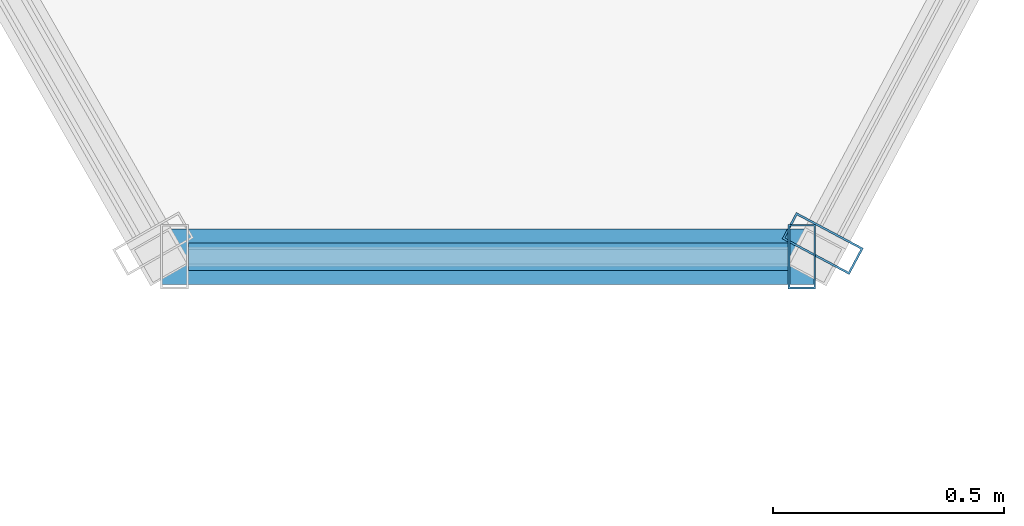
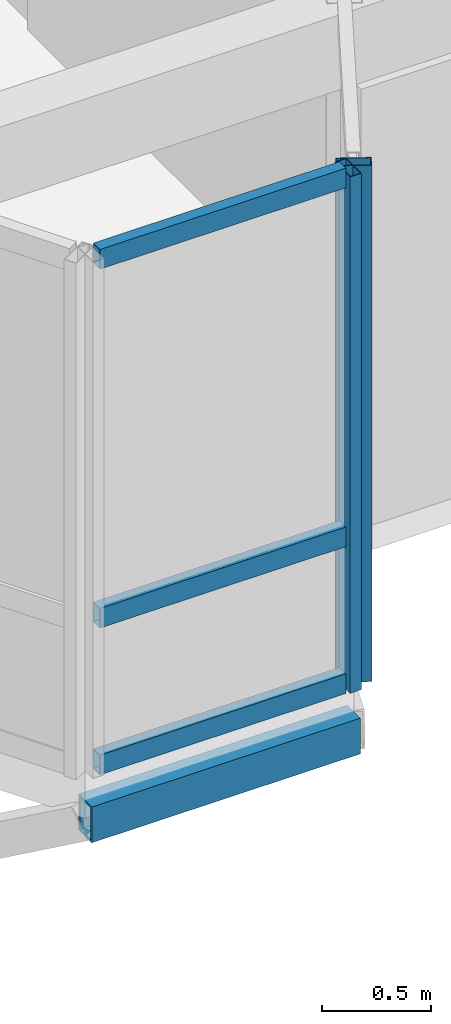
# One storey, part 38 of 77: 6 members, 2 elements without a shape of their own.
"""IFC4 building model written with IfcOpenShell, lengths in metres."""

import ifcopenshell
import ifcopenshell.guid

model = None  # the IFC model being written
_history = None  # IfcOwnerHistory: only IFC2X3 demands one
_inside = {}  # id of a spatial element -> (the spatial element, [elements in it])
_under = {}  # id of a project, library or spatial element -> (it, [spatial elements below it])
_declared = {}  # id of a project -> (the project, [libraries it declares])
_typed = {}  # id of a type object -> (the type object, [elements of that type])
_made_of = {}  # id of a material, layer set ... -> (it, [elements and type objects made of it])


def new_model(schema):
    """Start an empty IFC model of exactly this schema.

    Asked for "IFC4X3", IfcOpenShell would pick the latest addendum, in which some entities
    have other attributes; the version numbers below select the first issue.
    IFC2X3 requires an IfcOwnerHistory on every rooted entity: one is made here for all.
    """
    global model, _history
    if schema == "IFC4X3":
        model = ifcopenshell.file(schema_version=(4, 3, 0, 0))
    else:
        model = ifcopenshell.file(schema=schema)
    _inside.clear()
    _under.clear()
    _declared.clear()
    _typed.clear()
    _made_of.clear()
    _history = None
    if model.schema == "IFC2X3":
        org = make("IfcOrganization", Name="unknown")
        user = make(
            "IfcPersonAndOrganization",
            ThePerson=make("IfcPerson", FamilyName="unknown"),
            TheOrganization=org,
        )
        app = make(
            "IfcApplication",
            ApplicationDeveloper=org,
            Version="unknown",
            ApplicationFullName="unknown",
            ApplicationIdentifier="unknown",
        )
        _history = make(
            "IfcOwnerHistory",
            OwningUser=user,
            OwningApplication=app,
            ChangeAction="ADDED",
            CreationDate=0,
        )
    return model


def make(cls, **values):
    """One entity of the class cls with the attributes given. An attribute that is None is left unset."""
    return model.create_entity(
        cls, **{name: value for name, value in values.items() if value is not None}
    )


def rooted(cls, **values):
    """An entity with a GlobalId (a new one), such as an element, a storey or a relation."""
    return make(cls, GlobalId=ifcopenshell.guid.new(), OwnerHistory=_history, **values)


def si_unit(unit_type, name, prefix=None):
    """IfcSIUnit, for example si_unit("LENGTHUNIT", "METRE", prefix="MILLI")."""
    return make("IfcSIUnit", UnitType=unit_type, Prefix=prefix, Name=name)


def assignment(units):
    """IfcUnitAssignment: the units of a project."""
    return None if units is None else make("IfcUnitAssignment", Units=units)


def point(xyz):
    """IfcCartesianPoint."""
    return None if xyz is None else make("IfcCartesianPoint", Coordinates=xyz)


def direction(xyz):
    """IfcDirection."""
    return None if xyz is None else make("IfcDirection", DirectionRatios=xyz)


def frame(location, z_axis=None, x_axis=None):
    """IfcAxis2Placement3D, a coordinate frame: its origin and axes. An axis left out is left unset."""
    return make(
        "IfcAxis2Placement3D",
        Location=point(location),
        Axis=direction(z_axis),
        RefDirection=direction(x_axis),
    )


def frame_2d(location, x_axis=None):
    """IfcAxis2Placement2D, a coordinate frame in the plane: its origin and x axis."""
    return make(
        "IfcAxis2Placement2D", Location=point(location), RefDirection=direction(x_axis)
    )


def origin():
    """The frame at (0, 0, 0) with its axes left unset."""
    return frame((0.0, 0.0, 0.0))


def origin_2d():
    """The frame at (0, 0) in the plane with its x axis left unset."""
    return frame_2d((0.0, 0.0))


def place(relative_to, where):
    """IfcLocalPlacement: puts the frame where relative to a parent placement (None: the world)."""
    return make(
        "IfcLocalPlacement", PlacementRelTo=relative_to, RelativePlacement=where
    )


def context(
    kind, dimensions, precision=None, world=None, true_north=None, identifier=None
):
    """IfcGeometricRepresentationContext, for example the 3D "Model" context."""
    return make(
        "IfcGeometricRepresentationContext",
        ContextIdentifier=identifier,
        ContextType=kind,
        CoordinateSpaceDimension=dimensions,
        Precision=precision,
        WorldCoordinateSystem=world,
        TrueNorth=true_north,
    )


def subcontext(parent, identifier, kind, view, scale=None):
    """IfcGeometricRepresentationSubContext, for example "Body" below "Model"."""
    return make(
        "IfcGeometricRepresentationSubContext",
        ContextIdentifier=identifier,
        ContextType=kind,
        ParentContext=parent,
        TargetScale=scale,
        TargetView=view,
    )


def project(units=None, contexts=None):
    """IfcProject with its units and contexts."""
    return rooted(
        "IfcProject",
        Name="project",
        RepresentationContexts=contexts,
        UnitsInContext=assignment(units),
    )


def spatial(cls, under=None, at=None, **own):
    """A site, building, storey or space (cls), placed at a placement, below another one or the project."""
    s = rooted(cls, ObjectPlacement=at, **own)
    if under is not None:
        _under.setdefault(under.id(), (under, []))[1].append(s)
    return s


def profile(cls, at=None, kind="AREA", **sizes):
    """A parametric profile (cls). Its sizes go by their IFC names, for example OverallWidth=200.0."""
    return make(cls, ProfileType=kind, Position=at, **sizes)


def hollow_rectangle(**sizes):
    """IfcRectangleHollowProfileDef."""
    return profile("IfcRectangleHollowProfileDef", **sizes)


def extrude(swept, where, along, depth):
    """IfcExtrudedAreaSolid: the profile swept, set in the frame where, extruded along a direction by depth."""
    return make(
        "IfcExtrudedAreaSolid",
        SweptArea=swept,
        Position=where,
        ExtrudedDirection=direction(along),
        Depth=depth,
    )


def shape(context_of_items, identifier, shape_type, items):
    """IfcShapeRepresentation: the items that make up one representation, for example the "Body"."""
    return make(
        "IfcShapeRepresentation",
        ContextOfItems=context_of_items,
        RepresentationIdentifier=identifier,
        RepresentationType=shape_type,
        Items=items,
    )


def material(Name=None, Category=None):
    """IfcMaterial."""
    return make("IfcMaterial", Name=Name, Category=Category)


def layer(
    of_material, thickness, ventilated=None, Name=None, Category=None, Priority=None
):
    """IfcMaterialLayer: one layer of a wall or slab, of a material (None: an air gap)."""
    return make(
        "IfcMaterialLayer",
        Material=of_material,
        LayerThickness=thickness,
        IsVentilated=ventilated,
        Name=Name,
        Category=Category,
        Priority=Priority,
    )


def layer_set(layers, Name=None):
    """IfcMaterialLayerSet."""
    return make("IfcMaterialLayerSet", MaterialLayers=layers, LayerSetName=Name)


def material_profile(
    of_material, cross_section, Name=None, Category=None, Priority=None
):
    """IfcMaterialProfile: a cross section and its material."""
    return make(
        "IfcMaterialProfile",
        Name=Name,
        Material=of_material,
        Profile=cross_section,
        Priority=Priority,
        Category=Category,
    )


def profile_set(profiles, Name=None, composite=None):
    """IfcMaterialProfileSet."""
    return make(
        "IfcMaterialProfileSet",
        Name=Name,
        MaterialProfiles=profiles,
        CompositeProfile=composite,
    )


def made_of(thing, what):
    """Note that an element or type object is made of a material, layer set ...; save() writes the relation."""
    if what is not None:
        _made_of.setdefault(what.id(), (what, []))[1].append(thing)
    return thing


def type_object(cls, material=None, **own):
    """A type object (cls), such as IfcWallType, which elements share."""
    return made_of(rooted(cls, **own), material)


def element(
    cls,
    number,
    at=None,
    inside=None,
    cuts=None,
    type_object=None,
    material=None,
    context=None,
    identifier="Body",
    shape_type=None,
    held_by="IfcProductDefinitionShape",
    body=None,
    shapes=None,
    **own,
):
    """One element of the class cls, such as IfcWall. Its Tag is "e" and its number.

    at: its placement. inside: the storey or other place that contains it. cuts: it is an
    opening in that element (IfcRelVoidsElement). A single representation is given by context,
    identifier, shape_type and body (its items); several are given by shapes. held_by: the class
    of the entity that holds the representations. save() writes the other relations.
    """
    e = rooted(cls, Tag="e%d" % number, ObjectPlacement=at, **own)
    if body is not None:
        shapes = [shape(context, identifier, shape_type, body)]
    if shapes is not None:
        e.Representation = make(held_by, Representations=shapes)
    if inside is not None:
        _inside.setdefault(inside.id(), (inside, []))[1].append(e)
    if cuts is not None:
        rooted(
            "IfcRelVoidsElement", RelatingBuildingElement=cuts, RelatedOpeningElement=e
        )
    if type_object is not None:
        _typed.setdefault(type_object.id(), (type_object, []))[1].append(e)
    return made_of(e, material)


def aggregate(whole, parts):
    """IfcRelAggregates: a whole, such as a stair, and the parts it consists of."""
    return rooted("IfcRelAggregates", RelatingObject=whole, RelatedObjects=parts)


def save(model, path):
    """Write the relations noted so far, then the file.

    IfcRelAggregates (storeys below a building ...), IfcRelContainedInSpatialStructure (elements
    in a storey), IfcRelDefinesByType, IfcRelAssociatesMaterial and IfcRelDeclares: one each for
    every whole, place, type object, material and project.
    """
    for whole, parts in _under.values():
        aggregate(whole, parts)
    for where, things in _inside.values():
        rooted(
            "IfcRelContainedInSpatialStructure",
            RelatedElements=things,
            RelatingStructure=where,
        )
    for kind, things in _typed.values():
        rooted("IfcRelDefinesByType", RelatedObjects=things, RelatingType=kind)
    for what, things in _made_of.values():
        rooted("IfcRelAssociatesMaterial", RelatedObjects=things, RelatingMaterial=what)
    for by, libraries in _declared.values():
        rooted("IfcRelDeclares", RelatingContext=by, RelatedDefinitions=libraries)
    model.write(path)


model = new_model("IFC4")

# Units and contexts
model_context = context("Model", 3, precision=1e-05, world=origin(), true_north=direction((0.0, 1.0)))
body_context = subcontext(model_context, "Body", "Model", "MODEL_VIEW")
ifc_project = project(units=[si_unit("LENGTHUNIT", "METRE"), si_unit("AREAUNIT", "SQUARE_METRE"), si_unit("VOLUMEUNIT", "CUBIC_METRE"), si_unit("PLANEANGLEUNIT", "RADIAN"), si_unit("MASSUNIT", "GRAM", prefix="KILO"), si_unit("THERMODYNAMICTEMPERATUREUNIT", "KELVIN"), si_unit("POWERUNIT", "WATT")], contexts=[model_context])

# Site, building, storey
site_placement = place(None, origin())
site = spatial("IfcSite", under=ifc_project, at=site_placement, CompositionType="ELEMENT")
building_placement = place(site_placement, origin())
building = spatial("IfcBuilding", under=site, at=building_placement, Name="Tavuni Mirador Residences", CompositionType="ELEMENT")
storey_placement = place(building_placement, frame((0.0, 0.0, 10.800048828125)))
storey = spatial("IfcBuildingStorey", under=building, at=storey_placement, Name="L03", CompositionType="ELEMENT", Elevation=10.800048828125)

# Curtain wall, member
ifc_material_1 = material(Name="Anodised aluminium", Category="aluminium")
ifc_layer_1 = layer(ifc_material_1, 0.175048828125, Name="Anodised aluminium", Category="aluminium")
ifc_layer_set_1 = layer_set([ifc_layer_1], Name="Anodised aluminium")
curtain_wall_type_1 = type_object("IfcCurtainWallType", Name="CWT-MIR-C", PredefinedType="NOTDEFINED", material=ifc_layer_set_1)
curtain_wall_1_placement = place(storey_placement, origin())
curtain_wall_1 = element("IfcCurtainWall", 1, at=curtain_wall_1_placement, inside=storey, type_object=curtain_wall_type_1, Name="CW-MIR-C-S3-L03-MF", PredefinedType="NOTDEFINED")
ifc_material_profile_1 = material_profile(ifc_material_1, hollow_rectangle(XDim=0.06005859375, YDim=0.139892578125, WallThickness=0.00390625, at=origin_2d()), Name="ALU 60x140x4.0", Category="aluminium")
ifc_profile_set_1 = profile_set([ifc_material_profile_1], Name="Anodised aluminium")
member_type_1 = type_object("IfcMemberType", Name="CWM-140", PredefinedType="MULLION", material=ifc_profile_set_1)
member_1_placement = place(storey_placement, frame((49.14990234375, 142.800048828125, 0.0), z_axis=(0.0, 0.0, 1.0), x_axis=(1.0, 0.0, 0.0)))
member_1 = element("IfcMember", 2, at=member_1_placement, type_object=member_type_1, Name="CW-03 mullion 2", PredefinedType="MULLION", context=body_context, shape_type="SweptSolid", body=[
    extrude(hollow_rectangle(XDim=0.06005859375, YDim=0.139892578125, WallThickness=0.00390625, at=origin_2d()), origin(), (0.0, 0.0, 1.0), 2.885009765625),
])

ifc_layer_2 = layer(ifc_material_1, 0.159912109375, Name="Anodised aluminium", Category="aluminium")
ifc_layer_set_2 = layer_set([ifc_layer_2], Name="Anodised aluminium")
curtain_wall_type_2 = type_object("IfcCurtainWallType", Name="CWT-MIR-D", PredefinedType="NOTDEFINED", material=ifc_layer_set_2)
curtain_wall_2_placement = place(storey_placement, origin())
curtain_wall_2 = element("IfcCurtainWall", 3, at=curtain_wall_2_placement, inside=storey, type_object=curtain_wall_type_2, Name="CW-MIR-C-S3-L03-M2", PredefinedType="NOTDEFINED")
ifc_material_profile_2 = material_profile(ifc_material_1, hollow_rectangle(XDim=0.06494140625, YDim=0.1650390625, WallThickness=0.00439453125, at=origin_2d()), Name="ALU 65x165x4.5", Category="aluminium")
ifc_profile_set_2 = profile_set([ifc_material_profile_2], Name="Anodised aluminium")
member_type_2 = type_object("IfcMemberType", Name="CWM-165", PredefinedType="MULLION", material=ifc_profile_set_2)
member_2_placement = place(storey_placement, frame((49.1953125, 142.82861328125, 0.0), z_axis=(0.0, 0.0, 1.0), x_axis=(0.470588235296, 0.882352941175, 0.0)))
member_2 = element("IfcMember", 4, at=member_2_placement, type_object=member_type_2, Name="CW-04 mullion 1", PredefinedType="MULLION", context=body_context, shape_type="SweptSolid", body=[
    extrude(hollow_rectangle(XDim=0.06494140625, YDim=0.1650390625, WallThickness=0.00439453125, at=origin_2d()), origin(), (0.0, 0.0, 1.0), 2.885009765625),
])
aggregate(curtain_wall_2, [member_2])

# Member
ifc_material_profile_3 = material_profile(ifc_material_1, hollow_rectangle(XDim=0.06005859375, YDim=0.110107421875, WallThickness=0.00390625, at=origin_2d()), Name="ALU 60x110x4.0", Category="aluminium")
ifc_profile_set_3 = profile_set([ifc_material_profile_3], Name="Anodised aluminium")
member_type_3 = type_object("IfcMemberType", Name="CWT-110", PredefinedType="USERDEFINED", material=ifc_profile_set_3)
member_3_placement = place(storey_placement, frame((47.820068359375, 142.800048828125, 0.030029296875), z_axis=(1.0, 0.0, 0.0), x_axis=(0.0, 1.0, 0.0)))
member_3 = element("IfcMember", 5, at=member_3_placement, type_object=member_type_3, Name="CW-03 transom 1.1", ObjectType="TRANSOM", PredefinedType="USERDEFINED", context=body_context, shape_type="SweptSolid", body=[
    extrude(hollow_rectangle(XDim=0.06005859375, YDim=0.110107421875, WallThickness=0.00390625, at=origin_2d()), origin(), (0.0, 0.0, 1.0), 1.300048828125),
])

member_4_placement = place(storey_placement, frame((47.820068359375, 142.800048828125, 0.849853515625), z_axis=(1.0, 0.0, 0.0), x_axis=(0.0, 1.0, 0.0)))
member_4 = element("IfcMember", 6, at=member_4_placement, type_object=member_type_3, Name="CW-03 transom 1.2", ObjectType="TRANSOM", PredefinedType="USERDEFINED", context=body_context, shape_type="SweptSolid", body=[
    extrude(hollow_rectangle(XDim=0.06005859375, YDim=0.110107421875, WallThickness=0.00390625, at=origin_2d()), origin(), (0.0, 0.0, 1.0), 1.300048828125),
])

member_5_placement = place(storey_placement, frame((47.820068359375, 142.800048828125, 2.85498046875), z_axis=(1.0, 0.0, 0.0), x_axis=(0.0, 1.0, 0.0)))
member_5 = element("IfcMember", 7, at=member_5_placement, type_object=member_type_3, Name="CW-03 transom 1.3", ObjectType="TRANSOM", PredefinedType="USERDEFINED", context=body_context, shape_type="SweptSolid", body=[
    extrude(hollow_rectangle(XDim=0.06005859375, YDim=0.110107421875, WallThickness=0.00390625, at=origin_2d()), origin(), (0.0, 0.0, 1.0), 1.300048828125),
])

aggregate(curtain_wall_1, [member_1, member_3, member_4, member_5])

ifc_material_2 = material(Name="Structural steel S355", Category="steel")
ifc_material_profile_4 = material_profile(ifc_material_2, hollow_rectangle(XDim=0.1201171875, YDim=0.199951171875, WallThickness=0.010009765625, at=origin_2d()), Name="RHS 200x120x10.0", Category="steel")
ifc_profile_set_4 = profile_set([ifc_material_profile_4], Name="Structural steel S355")
member_type_4 = type_object("IfcMemberType", Name="MT-ST-RHS200", PredefinedType="STRUT", material=ifc_profile_set_4)
member_6_placement = place(storey_placement, frame((47.760009765625, 142.800048828125, -0.26513671875), z_axis=(1.0, 0.0, 0.0), x_axis=(0.0, 1.0, 0.0)))
element("IfcMember", 8, at=member_6_placement, inside=storey, type_object=member_type_4, Name="MRIM-MIR-C-S3-L03", PredefinedType="STRUT", context=body_context, shape_type="SweptSolid", body=[
    extrude(hollow_rectangle(XDim=0.1201171875, YDim=0.199951171875, WallThickness=0.010009765625, at=origin_2d()), origin(), (0.0, 0.0, 1.0), 1.419921875),
])

save(model, "model.ifc")
